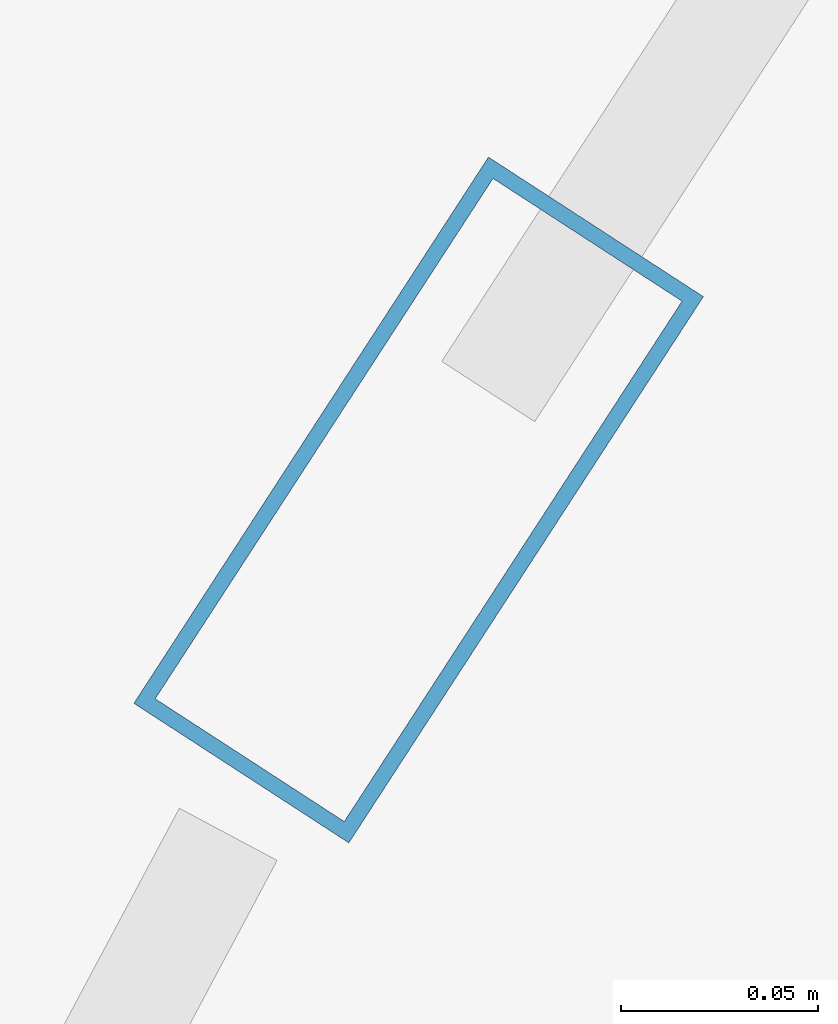
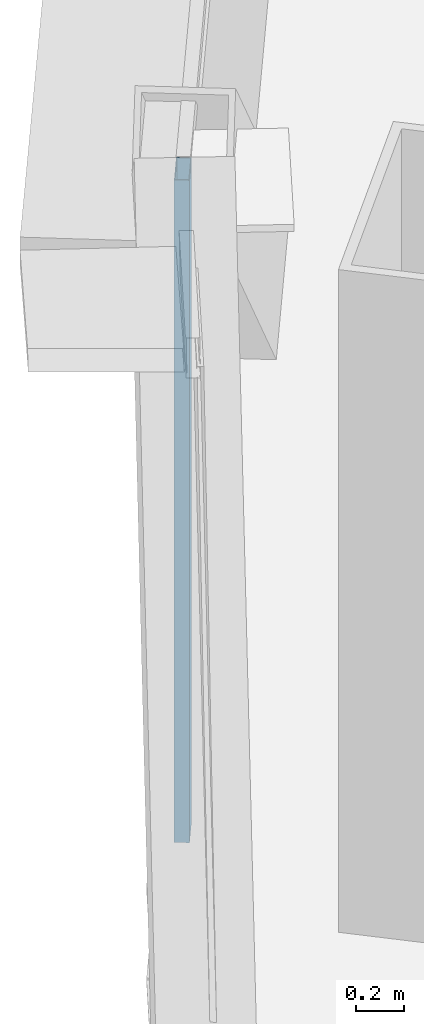
# One storey, part 16 of 37: 1 member, 1 element without a shape of its own.
"""IFC4 building model written with IfcOpenShell, lengths in metres."""

from ifc_helpers import new_model, si_unit, direction, frame, origin, origin_2d, place, context, subcontext, project, spatial, hollow_rectangle, extrude, source, transform, mapped, material, layer, layer_set, material_profile, profile_set, type_object, element, aggregate, save


model = new_model("IFC4")

# Units and contexts
model_context = context("Model", 3, precision=1e-05, world=origin(), true_north=direction((0.0, 1.0)))
body_context = subcontext(model_context, "Body", "Model", "MODEL_VIEW")
ifc_project = project(units=[si_unit("LENGTHUNIT", "METRE"), si_unit("AREAUNIT", "SQUARE_METRE"), si_unit("VOLUMEUNIT", "CUBIC_METRE"), si_unit("PLANEANGLEUNIT", "RADIAN"), si_unit("MASSUNIT", "GRAM", prefix="KILO"), si_unit("THERMODYNAMICTEMPERATUREUNIT", "KELVIN"), si_unit("POWERUNIT", "WATT")], contexts=[model_context])

# Site, building, storey
site_placement = place(None, origin())
site = spatial("IfcSite", under=ifc_project, at=site_placement, CompositionType="ELEMENT")
building_placement = place(site_placement, origin())
building = spatial("IfcBuilding", under=site, at=building_placement, Name="Yunzhuo Pagoda Commons", CompositionType="ELEMENT")
storey_placement = place(building_placement, frame((0.0, 0.0, 59.43994140625)))
storey = spatial("IfcBuildingStorey", under=building, at=storey_placement, Name="L15", CompositionType="ELEMENT", Elevation=59.43994140625)

# Curtain wall, member
ifc_material = material(Name="Anodized aluminium 6063-T6", Category="aluminium")
ifc_layer = layer(ifc_material, 0.1650390625)
ifc_layer_set = layer_set([ifc_layer], Name="Anodized aluminium 6063-T6")
curtain_wall_type = type_object("IfcCurtainWallType", Name="CW-LOW Low-Zone Ribbon Curtain Wall", PredefinedType="NOTDEFINED", material=ifc_layer_set)
curtain_wall_placement = place(storey_placement, origin())
curtain_wall = element("IfcCurtainWall", 1, at=curtain_wall_placement, inside=storey, type_object=curtain_wall_type, Name="L15 curtain wall CW-L15-F3B2", PredefinedType="NOTDEFINED")
ifc_material_profile = material_profile(ifc_material, hollow_rectangle(XDim=0.06494140625, YDim=0.1650390625, WallThickness=0.00390625, at=origin_2d()), Name="Anodized aluminium 6063-T6")
ifc_profile_set = profile_set([ifc_material_profile], Name="Anodized aluminium 6063-T6")
member_type = type_object("IfcMemberType", Name="CW-LOW-M Mullion RHS 165x65x4", PredefinedType="MULLION", material=ifc_profile_set)
shared_shape = source(origin(), body_context, "Body", "SweptSolid", [
    extrude(hollow_rectangle(XDim=0.06494140625, YDim=0.1650390625, WallThickness=0.00390625, at=origin_2d()), origin(), (0.0, 0.0, 1.0), 3.3701171875),
])
member_placement = place(storey_placement, frame((21.379638671875, 57.71240234375, 0.0), z_axis=(0.0, 0.0, 1.0), x_axis=(0.838776712394, -0.544475552018, 0.0)))
member = element("IfcMember", 2, at=member_placement, type_object=member_type, Name="CW mullion 2", PredefinedType="MULLION", context=body_context, shape_type="MappedRepresentation", body=[
    mapped(shared_shape, transform((0.0, 0.0, 0.0), scale=1.0)),
])
aggregate(curtain_wall, [member])

save(model, "model.ifc")
